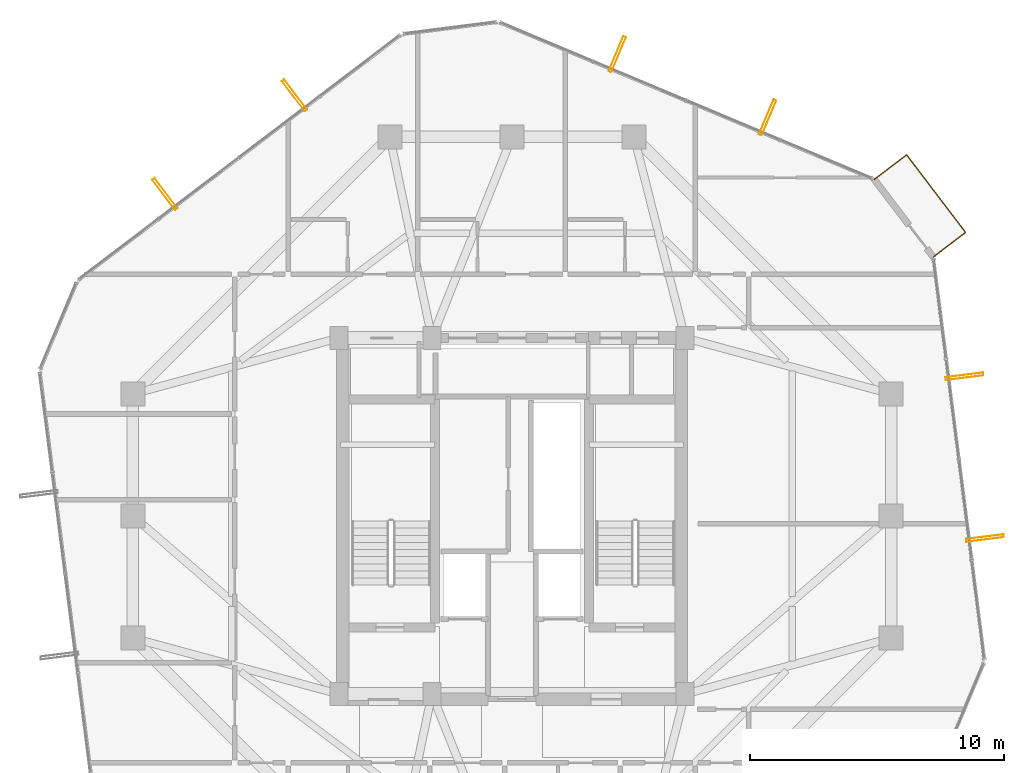
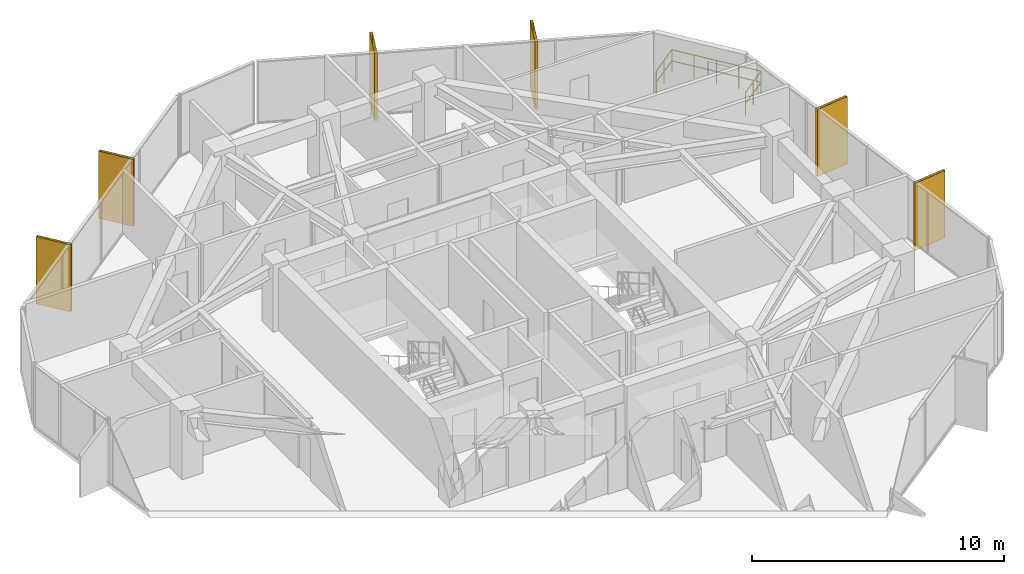
# One storey, part 32 of 32: 6 shading devices, 1 railing.
"""IFC4 building model written with IfcOpenShell, lengths in metres."""

from ifc_helpers import new_model, si_unit, direction, frame, origin, origin_2d, place, context, subcontext, project, spatial, hollow_rectangle, circle, extrude, material, material_profile, profile_set, type_object, element, save


model = new_model("IFC4")

# Units and contexts
model_context = context("Model", 3, precision=1e-05, world=origin(), true_north=direction((0.0, 1.0)))
body_context = subcontext(model_context, "Body", "Model", "MODEL_VIEW")
ifc_project = project(units=[si_unit("LENGTHUNIT", "METRE"), si_unit("AREAUNIT", "SQUARE_METRE"), si_unit("VOLUMEUNIT", "CUBIC_METRE"), si_unit("PLANEANGLEUNIT", "RADIAN"), si_unit("MASSUNIT", "GRAM", prefix="KILO")], contexts=[model_context])

# Site, building, storey
site_placement = place(None, origin())
site = spatial("IfcSite", under=ifc_project, at=site_placement, CompositionType="ELEMENT")
building_placement = place(site_placement, origin())
building = spatial("IfcBuilding", under=site, at=building_placement, Name="Veraguas Prism Commons", CompositionType="ELEMENT")
storey_placement = place(building_placement, frame((0.0, 0.0, 182.10009765625)))
storey = spatial("IfcBuildingStorey", under=building, at=storey_placement, Name="L51", CompositionType="ELEMENT", Elevation=182.10009765625)

# Shading devices
ifc_material_1 = material(Name="Anodised aluminium EN AW-6063 T6", Category="aluminium")
ifc_material_profile = material_profile(ifc_material_1, hollow_rectangle(XDim=0.1201171875, YDim=1.489990234375, WallThickness=0.006103515625, at=origin_2d()), Name="FIN120X1490X6")
ifc_profile_set = profile_set([ifc_material_profile], Name="Anodised aluminium EN AW-6063 T6")
shading_device_type = type_object("IfcShadingDeviceType", Name="Deep Pale-Metal Vertical Solar Fin 120x1490", PredefinedType="USERDEFINED", material=ifc_profile_set)
for number, where, z_axis, x_axis, name in (
    (1, (34.04833984375, 39.667724609375, -0.215087890625), (0.0, 0.0, 1.0), (-0.922134139047, 0.386870300752, 0.0), "Vertical Pale-Metal Solar Fin L51-F1A"),
    (2, (28.138427734375, 42.147216796875, -0.215087890625), (0.0, 0.0, 1.0), (-0.922134139047, 0.386870300752, 0.0), "Vertical Pale-Metal Solar Fin L51-F1B"),
    (3, (15.45556640625, 40.535888671875, -0.215087890625), (0.0, 0.0, 1.0), (-0.796106577945, -0.605156439735, 0.0), "Vertical Pale-Metal Solar Fin L51-F2A"),
    (4, (10.353271484375, 36.65771484375, -0.215087890625), (0.0, 0.0, 1.0), (-0.796106577945, -0.605156439735, 0.0), "Vertical Pale-Metal Solar Fin L51-F2B"),
    (5, (42.593017578125, 23.1318359375, -0.215087890625), (0.0, 0.0, 1.0), (-0.126024098275, 0.992027180401, 0.0), "Vertical Pale-Metal Solar Fin L51-F6A"),
    (6, (41.78515625, 29.48974609375, -0.215087890625), (0.0, 0.0, 1.0), (-0.126024098275, 0.992027180401, 0.0), "Vertical Pale-Metal Solar Fin L51-F6B"),
):
    element("IfcShadingDevice", number, at=place(storey_placement, frame(where, z_axis=z_axis, x_axis=x_axis)), inside=storey, type_object=shading_device_type, Name=name, ObjectType="FIN", PredefinedType="USERDEFINED", context=body_context, shape_type="SweptSolid", body=[
        extrude(hollow_rectangle(XDim=0.1201171875, YDim=1.489990234375, WallThickness=0.006103515625, at=origin_2d()), origin(), (0.0, 0.0, 1.0), 3.25),
    ])

# Railing
ifc_material_2 = material(Name="Stainless steel AISI 316", Category="steel")
railing_type = type_object("IfcRailingType", Name="Loggia and Sky Pool Glazed Balustrade 1120", PredefinedType="BALUSTRADE", material=ifc_material_2)
railing_placement = place(storey_placement, frame((40.559326171875, 34.17919921875, 0.0)))
element("IfcRailing", 7, at=railing_placement, inside=storey, type_object=railing_type, Name="Recessed Corner Loggia L51-C1 Guard", PredefinedType="BALUSTRADE", context=body_context, shape_type="SweptSolid", body=[
    extrude(circle(Radius=0.02392578125, at=origin_2d()), frame((0.0, 0.0, 1.09619140625), z_axis=(0.796138672763, 0.605114215443, 0.0), x_axis=(-0.605114215443, 0.796138672763, 0.0)), (0.0, 0.0, 1.0), 1.60009765625),
    extrude(circle(Radius=0.02392578125, at=origin_2d()), frame((0.0, 0.0, 0.56005859375), z_axis=(0.796138672763, 0.605114215443, 0.0), x_axis=(-0.605114215443, 0.796138672763, 0.0)), (0.0, 0.0, 1.0), 1.60009765625),
    extrude(circle(Radius=0.02392578125, at=origin_2d()), frame((1.27392578125, 0.96826171875, 1.09619140625), z_axis=(-0.605162364999, 0.79610207385, 0.0), x_axis=(-0.79610207385, -0.605162364999, 0.0)), (0.0, 0.0, 1.0), 3.834716796875),
    extrude(circle(Radius=0.02392578125, at=origin_2d()), frame((1.27392578125, 0.96826171875, 0.56005859375), z_axis=(-0.605162364999, 0.79610207385, 0.0), x_axis=(-0.79610207385, -0.605162364999, 0.0)), (0.0, 0.0, 1.0), 3.834716796875),
    extrude(circle(Radius=0.02392578125, at=origin_2d()), frame((-1.046630859375, 4.02099609375, 1.09619140625), z_axis=(-0.796082795067, -0.60518772575, 0.0), x_axis=(0.60518772575, -0.796082795067, 0.0)), (0.0, 0.0, 1.0), 1.599853515625),
    extrude(circle(Radius=0.02392578125, at=origin_2d()), frame((-1.046630859375, 4.02099609375, 0.56005859375), z_axis=(-0.796082795067, -0.60518772575, 0.0), x_axis=(0.60518772575, -0.796082795067, 0.0)), (0.0, 0.0, 1.0), 1.599853515625),
    extrude(circle(Radius=0.02099609375, at=origin_2d()), origin(), (0.0, 0.0, 1.0), 1.072021484375),
    extrude(circle(Radius=0.02099609375, at=origin_2d()), frame((0.636962890625, 0.484130859375, 0.0)), (0.0, 0.0, 1.0), 1.072021484375),
    extrude(circle(Radius=0.02099609375, at=origin_2d()), frame((1.27392578125, 0.96826171875, 0.0)), (0.0, 0.0, 1.0), 1.072021484375),
    extrude(circle(Radius=0.02099609375, at=origin_2d()), frame((0.69384765625, 1.7314453125, 0.0)), (0.0, 0.0, 1.0), 1.072021484375),
    extrude(circle(Radius=0.02099609375, at=origin_2d()), frame((0.11376953125, 2.49462890625, 0.0)), (0.0, 0.0, 1.0), 1.072021484375),
    extrude(circle(Radius=0.02099609375, at=origin_2d()), frame((-0.466552734375, 3.2578125, 0.0)), (0.0, 0.0, 1.0), 1.072021484375),
    extrude(circle(Radius=0.02099609375, at=origin_2d()), frame((-1.046630859375, 4.02099609375, 0.0)), (0.0, 0.0, 1.0), 1.072021484375),
    extrude(circle(Radius=0.02099609375, at=origin_2d()), frame((-1.68359375, 3.536865234375, 0.0)), (0.0, 0.0, 1.0), 1.072021484375),
    extrude(circle(Radius=0.02099609375, at=origin_2d()), frame((-2.3203125, 3.052734375, 0.0)), (0.0, 0.0, 1.0), 1.072021484375),
])

save(model, "model.ifc")
